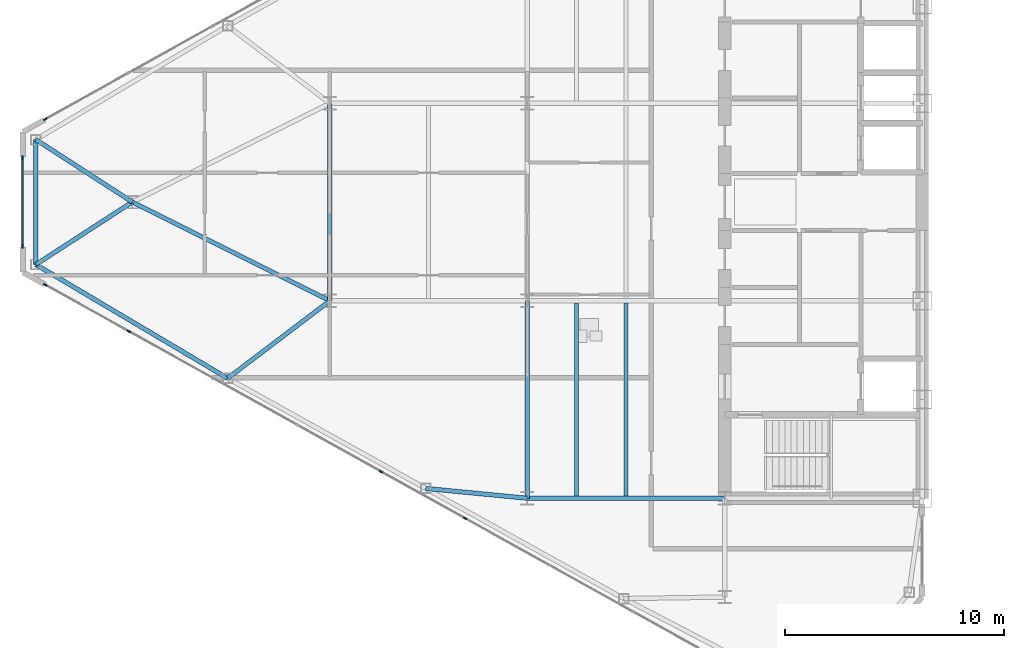
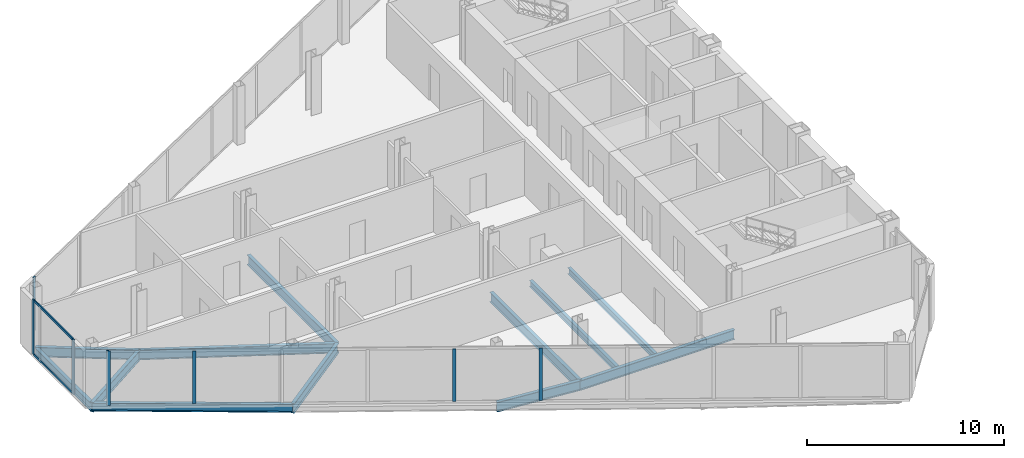
# One storey, part 5 of 26: 12 beams, 9 members, 3 elements without a shape of their own.
"""IFC4 building model written with IfcOpenShell, lengths in metres."""

from ifc_helpers import new_model, si_unit, direction, frame, origin, origin_2d, place, context, subcontext, project, spatial, rectangle, i_section, extrude, source, transform, mapped, material, layer, layer_set, material_profile, profile_set, type_object, type_shapes, element, aggregate, save


model = new_model("IFC4")

# Units and contexts
model_context = context("Model", 3, precision=1e-05, world=origin(), true_north=direction((0.0, 1.0)))
body_context = subcontext(model_context, "Body", "Model", "MODEL_VIEW")
ifc_project = project(units=[si_unit("LENGTHUNIT", "METRE"), si_unit("AREAUNIT", "SQUARE_METRE"), si_unit("VOLUMEUNIT", "CUBIC_METRE"), si_unit("PLANEANGLEUNIT", "RADIAN"), si_unit("MASSUNIT", "GRAM", prefix="KILO")], contexts=[model_context])

# Site, building, storey
site_placement = place(None, origin())
site = spatial("IfcSite", under=ifc_project, at=site_placement, CompositionType="ELEMENT")
building_placement = place(site_placement, origin())
building = spatial("IfcBuilding", under=site, at=building_placement, Name="Seokmaru Belvedere", CompositionType="ELEMENT")
storey_placement = place(building_placement, frame((0.0, 0.0, 167.10009765625)))
storey = spatial("IfcBuildingStorey", under=building, at=storey_placement, Name="L44", CompositionType="ELEMENT", Elevation=167.10009765625)

# Beams
ifc_material_1 = material(Name="Steel SM355 (355 MPa)", Category="steel")
ifc_material_profile_1 = material_profile(ifc_material_1, i_section(OverallWidth=0.199951171875, OverallDepth=0.60009765625, WebThickness=0.010986328125, FlangeThickness=0.01708984375, at=origin_2d()), Name="H-600x200x11x17")
ifc_profile_set_1 = profile_set([ifc_material_profile_1], Name="Steel SM355 (355 MPa)")
beam_type_1 = type_object("IfcBeamType", Name="Primary Floor Girder H-600", PredefinedType="BEAM", material=ifc_profile_set_1)
shared_shape_1 = source(origin(), body_context, "Body", "SweptSolid", [
    extrude(i_section(OverallWidth=0.199951171875, OverallDepth=0.60009765625, WebThickness=0.010986328125, FlangeThickness=0.01708984375, at=origin_2d()), origin(), (0.0, 0.0, 1.0), 9.0),
])
for number, where, z_axis, x_axis, name in (
    (1, (-45.5, -13.5, -0.52001953125), (0.0, 1.0, 0.0), (-1.0, 0.0, 0.0), "L44 W Interior Grid Girder 1"),
    (2, (-45.5, -13.5, -0.52001953125), (1.0, 0.0, 0.0), (0.0, 1.0, 0.0), "L44 W Wing Primary Girder 1"),
    (3, (-54.5, -4.5, -0.52001953125), (0.0, 1.0, 0.0), (-1.0, 0.0, 0.0), "L44 W Apex Frame Girder"),
):
    element("IfcBeam", number, at=place(storey_placement, frame(where, z_axis=z_axis, x_axis=x_axis)), inside=storey, type_object=beam_type_1, Name=name, PredefinedType="BEAM", context=body_context, shape_type="MappedRepresentation", body=[
        mapped(shared_shape_1, transform((0.0, 0.0, 0.0), scale=1.0)),
    ])
shared_shape_2 = source(origin(), body_context, "Body", "SweptSolid", [
    extrude(i_section(OverallWidth=0.199951171875, OverallDepth=0.60009765625, WebThickness=0.010986328125, FlangeThickness=0.01708984375, at=origin_2d()), origin(), (0.0, 0.0, 1.0), 10.062255859375),
])
beam_1_placement = place(storey_placement, frame((-54.5, -4.5, -0.52001953125), z_axis=(-0.894427191, 0.4472135955, 0.0), x_axis=(-0.4472135955, -0.894427191, 0.0)))
element("IfcBeam", 4, at=beam_1_placement, inside=storey, type_object=beam_type_1, Name="L44 W Apex Converging Girder 1", PredefinedType="BEAM", context=body_context, shape_type="MappedRepresentation", body=[
    mapped(shared_shape_2, transform((0.0, 0.0, 0.0), scale=1.0)),
])
ifc_material_profile_2 = material_profile(ifc_material_1, i_section(OverallWidth=0.18505859375, OverallDepth=0.389892578125, WebThickness=0.008056640625, FlangeThickness=0.011962890625, at=origin_2d()), Name="H-390x185x8x12")
ifc_profile_set_2 = profile_set([ifc_material_profile_2], Name="Steel SM355 (355 MPa)")
beam_type_2 = type_object("IfcBeamType", Name="Secondary Floor Joist H-350", PredefinedType="JOIST", material=ifc_profile_set_2)
shared_shape_3 = source(origin(), body_context, "Body", "SweptSolid", [
    extrude(i_section(OverallWidth=0.18505859375, OverallDepth=0.389892578125, WebThickness=0.008056640625, FlangeThickness=0.011962890625, at=origin_2d()), origin(), (0.0, 0.0, 1.0), 8.7900390625),
])
type_shapes(beam_type_2, [shared_shape_3])
for number, where, z_axis, x_axis, name in (
    (5, (-43.25, -13.39501953125, -0.4150390625), (0.0, 1.0, 0.0), (-1.0, 0.0, 0.0), "L44 W Wing Inner Secondary Joist 1"),
    (6, (-41.0, -13.39501953125, -0.4150390625), (0.0, 1.0, 0.0), (-1.0, 0.0, 0.0), "L44 W Secondary Floor Joist 1"),
):
    element("IfcBeam", number, at=place(storey_placement, frame(where, z_axis=z_axis, x_axis=x_axis)), inside=storey, type_object=beam_type_2, Name=name, PredefinedType="JOIST", context=body_context, shape_type="MappedRepresentation", body=[
        mapped(shared_shape_3, transform((0.0, 0.0, 0.0), scale=1.0)),
    ])
ifc_material_profile_3 = material_profile(ifc_material_1, i_section(OverallWidth=0.199951171875, OverallDepth=0.5, WebThickness=0.010009765625, FlangeThickness=0.01611328125, at=origin_2d()), Name="H-500x200x10x16")
ifc_profile_set_3 = profile_set([ifc_material_profile_3], Name="Steel SM355 (355 MPa)")
beam_type_3 = type_object("IfcBeamType", Name="Perimeter Spandrel Beam H-500", PredefinedType="SPANDREL", material=ifc_profile_set_3)
shared_shape_4 = source(origin(), body_context, "Body", "SweptSolid", [
    extrude(i_section(OverallWidth=0.199951171875, OverallDepth=0.5, WebThickness=0.010009765625, FlangeThickness=0.01611328125, at=origin_2d()), origin(), (0.0, 0.0, 1.0), 10.16650390625),
])
beam_2_placement = place(storey_placement, frame((-59.154541015625, -8.031494140625, -0.47021484375), z_axis=(-0.860209996506, 0.509939959124, 0.0), x_axis=(-0.509939959124, -0.860209996506, 0.0)))
element("IfcBeam", 7, at=beam_2_placement, inside=storey, type_object=beam_type_3, Name="L44 W Faceted Flank Spandrel S-4", PredefinedType="SPANDREL", context=body_context, shape_type="MappedRepresentation", body=[
    mapped(shared_shape_4, transform((0.0, 0.0, 0.0), scale=1.0)),
])
shared_shape_5 = source(origin(), body_context, "Body", "SweptSolid", [
    extrude(i_section(OverallWidth=0.199951171875, OverallDepth=0.5, WebThickness=0.010009765625, FlangeThickness=0.01611328125, at=origin_2d()), origin(), (0.0, 0.0, 1.0), 5.6943359375),
])
type_shapes(beam_type_3, [shared_shape_4, shared_shape_5])
beam_3_placement = place(storey_placement, frame((-67.89990234375, -2.84716796875, -0.47021484375), z_axis=(0.0, 1.0, 0.0), x_axis=(-1.0, 0.0, 0.0)))
element("IfcBeam", 8, at=beam_3_placement, inside=storey, type_object=beam_type_3, Name="L44 W Faceted Apex Spandrel", PredefinedType="SPANDREL", context=body_context, shape_type="MappedRepresentation", body=[
    mapped(shared_shape_5, transform((0.0, 0.0, 0.0), scale=1.0)),
])
shared_shape_6 = source(origin(), body_context, "Body", "SweptSolid", [
    extrude(i_section(OverallWidth=0.199951171875, OverallDepth=0.60009765625, WebThickness=0.010986328125, FlangeThickness=0.01708984375, at=origin_2d()), origin(), (0.0, 0.0, 1.0), 4.65087890625),
])
beam_4_placement = place(storey_placement, frame((-50.129150390625, -13.051025390625, -0.52001953125), z_axis=(0.995329534874, -0.09653557379, 0.0), x_axis=(0.09653557379, 0.995329534874, 0.0)))
element("IfcBeam", 9, at=beam_4_placement, inside=storey, type_object=beam_type_1, Name="L44 W Flank Radial Floor Girder S-2", PredefinedType="BEAM", context=body_context, shape_type="MappedRepresentation", body=[
    mapped(shared_shape_6, transform((0.0, 0.0, 0.0), scale=1.0)),
])
shared_shape_7 = source(origin(), body_context, "Body", "SweptSolid", [
    extrude(i_section(OverallWidth=0.199951171875, OverallDepth=0.60009765625, WebThickness=0.010986328125, FlangeThickness=0.01708984375, at=origin_2d()), origin(), (0.0, 0.0, 1.0), 5.842529296875),
])
beam_5_placement = place(storey_placement, frame((-59.154541015625, -8.031494140625, -0.52001953125), z_axis=(0.796653109879, 0.604436781243, 0.0), x_axis=(-0.604436781243, 0.796653109879, 0.0)))
element("IfcBeam", 10, at=beam_5_placement, inside=storey, type_object=beam_type_1, Name="L44 W Flank Radial Floor Girder S-3", PredefinedType="BEAM", context=body_context, shape_type="MappedRepresentation", body=[
    mapped(shared_shape_7, transform((0.0, 0.0, 0.0), scale=1.0)),
])
shared_shape_8 = source(origin(), body_context, "Body", "SweptSolid", [
    extrude(i_section(OverallWidth=0.199951171875, OverallDepth=0.60009765625, WebThickness=0.010986328125, FlangeThickness=0.01708984375, at=origin_2d()), origin(), (0.0, 0.0, 1.0), 5.24072265625),
])
type_shapes(beam_type_1, [shared_shape_1, shared_shape_2, shared_shape_6, shared_shape_7, shared_shape_8])
for number, where, z_axis, x_axis, name in (
    (11, (-67.89990234375, -2.84716796875, -0.52001953125), (0.839555158729, 0.543274456836, 0.0), (-0.543274456836, 0.839555158729, 0.0), "L44 W Apex Radial Floor Girder 1"),
    (12, (-67.89990234375, 2.84716796875, -0.52001953125), (0.839555158729, -0.543274456836, 0.0), (0.543274456836, 0.839555158729, 0.0), "L44 W Apex Radial Floor Girder 2"),
):
    element("IfcBeam", number, at=place(storey_placement, frame(where, z_axis=z_axis, x_axis=x_axis)), inside=storey, type_object=beam_type_1, Name=name, PredefinedType="BEAM", context=body_context, shape_type="MappedRepresentation", body=[
        mapped(shared_shape_8, transform((0.0, 0.0, 0.0), scale=1.0)),
    ])

# Curtain wall, members
ifc_material_2 = material(Name="Bronze Triple Insulating Glass", Category="glass")
ifc_layer = layer(ifc_material_2, 0.179931640625)
ifc_layer_set = layer_set([ifc_layer], Name="Bronze Triple Insulating Glass")
curtain_wall_type = type_object("IfcCurtainWallType", Name="High-Rise Wind-Corner Curtain Wall System CW-5", PredefinedType="NOTDEFINED", material=ifc_layer_set)
curtain_wall_1_placement = place(storey_placement, origin())
curtain_wall_1 = element("IfcCurtainWall", 13, at=curtain_wall_1_placement, inside=storey, type_object=curtain_wall_type, Name="L44 Curtain Wall WF4", PredefinedType="NOTDEFINED")
ifc_material_3 = material(Name="Anodised Bronze Aluminium", Category="aluminium")
ifc_material_profile_4 = material_profile(ifc_material_3, rectangle(XDim=0.06494140625, YDim=0.14990234375, at=origin_2d()), Name="CW-T-65x150")
ifc_profile_set_4 = profile_set([ifc_material_profile_4], Name="Anodised Bronze Aluminium")
member_type_1 = type_object("IfcMemberType", Name="Bronze Unitised Transom 65x150", PredefinedType="USERDEFINED", material=ifc_profile_set_4)
shared_shape_9 = source(origin(), body_context, "Body", "SweptSolid", [
    extrude(rectangle(XDim=0.06494140625, YDim=0.14990234375, at=origin_2d()), origin(), (0.0, 0.0, 1.0), 3.97021484375),
])
type_shapes(member_type_1, [shared_shape_9])
member_1_placement = place(storey_placement, frame((-68.5, 1.985107421875, 0.032470703125), z_axis=(0.0, -1.0, 0.0), x_axis=(1.0, 0.0, 0.0)))
member_1 = element("IfcMember", 14, at=member_1_placement, type_object=member_type_1, Name="CW:L44:WF4 Continuous Transom 1", ObjectType="TRANSOM", PredefinedType="USERDEFINED", context=body_context, shape_type="MappedRepresentation", body=[
    mapped(shared_shape_9, transform((0.0, 0.0, 0.0), scale=1.0)),
])
member_2_placement = place(storey_placement, frame((-68.5, 1.985107421875, 3.347412109375), z_axis=(0.0, -1.0, 0.0), x_axis=(1.0, 0.0, 0.0)))
member_2 = element("IfcMember", 15, at=member_2_placement, type_object=member_type_1, Name="CW:L44:WF4 Continuous Transom 2", ObjectType="TRANSOM", PredefinedType="USERDEFINED", context=body_context, shape_type="MappedRepresentation", body=[
    mapped(shared_shape_9, transform((0.0, 0.0, 0.0), scale=1.0)),
])

# Curtain wall, member
curtain_wall_2_placement = place(storey_placement, origin())
curtain_wall_2 = element("IfcCurtainWall", 16, at=curtain_wall_2_placement, inside=storey, type_object=curtain_wall_type, Name="L44 Curtain Wall WF3", PredefinedType="NOTDEFINED")
ifc_material_profile_5 = material_profile(ifc_material_3, rectangle(XDim=0.06494140625, YDim=0.179931640625, at=origin_2d()), Name="CW-M-65x180")
ifc_profile_set_5 = profile_set([ifc_material_profile_5], Name="Anodised Bronze Aluminium")
member_type_2 = type_object("IfcMemberType", Name="Bronze Unitised Mullion 65x180", PredefinedType="MULLION", material=ifc_profile_set_5)
shared_shape_10 = source(origin(), body_context, "Body", "SweptSolid", [
    extrude(rectangle(XDim=0.06494140625, YDim=0.179931640625, at=origin_2d()), origin(), (0.0, 0.0, 1.0), 3.3798828125),
])
member_3_placement = place(storey_placement, frame((-67.466552734375, 3.77490234375, 0.0), z_axis=(0.0, 0.0, 1.0), x_axis=(0.486047125147, -0.873932601598, 0.0)))
member_3 = element("IfcMember", 17, at=member_3_placement, type_object=member_type_2, Name="CW:L44:WF3 Mullion 10", PredefinedType="MULLION", context=body_context, shape_type="MappedRepresentation", body=[
    mapped(shared_shape_10, transform((0.0, 0.0, 0.0), scale=1.0)),
])
aggregate(curtain_wall_2, [member_3])

# Member
member_4_placement = place(storey_placement, frame((-68.5, 2.017578125, 0.0), z_axis=(0.0, 0.0, 1.0), x_axis=(1.0, 0.0, 0.0)))
member_4 = element("IfcMember", 18, at=member_4_placement, type_object=member_type_2, Name="CW:L44:WF4 Mullion 1", PredefinedType="MULLION", context=body_context, shape_type="MappedRepresentation", body=[
    mapped(shared_shape_10, transform((0.0, 0.0, 0.0), scale=1.0)),
])

member_5_placement = place(storey_placement, frame((-68.5, -2.017578125, 0.0), z_axis=(0.0, 0.0, 1.0), x_axis=(1.0, 0.0, 0.0)))
member_5 = element("IfcMember", 19, at=member_5_placement, type_object=member_type_2, Name="CW:L44:WF4 Mullion 2", PredefinedType="MULLION", context=body_context, shape_type="MappedRepresentation", body=[
    mapped(shared_shape_10, transform((0.0, 0.0, 0.0), scale=1.0)),
])

aggregate(curtain_wall_1, [member_4, member_5, member_1, member_2])

# Curtain wall, members
curtain_wall_3_placement = place(storey_placement, origin())
curtain_wall_3 = element("IfcCurtainWall", 20, at=curtain_wall_3_placement, inside=storey, type_object=curtain_wall_type, Name="L44 Curtain Wall WF5", PredefinedType="NOTDEFINED")
member_6_placement = place(storey_placement, frame((-67.466552734375, -3.77490234375, 0.0), z_axis=(0.0, 0.0, 1.0), x_axis=(0.486047125147, 0.873932601598, 0.0)))
member_6 = element("IfcMember", 21, at=member_6_placement, type_object=member_type_2, Name="CW:L44:WF5 Mullion 1", PredefinedType="MULLION", context=body_context, shape_type="MappedRepresentation", body=[
    mapped(shared_shape_10, transform((0.0, 0.0, 0.0), scale=1.0)),
])
shared_shape_11 = source(origin(), body_context, "Body", "SweptSolid", [
    extrude(rectangle(XDim=0.06494140625, YDim=0.179931640625, at=origin_2d()), origin(), (0.0, 0.0, 1.0), 3.25),
])
type_shapes(member_type_2, [shared_shape_10, shared_shape_11])
member_7_placement = place(storey_placement, frame((-63.662841796875, -5.890380859375, 0.06494140625), z_axis=(0.0, 0.0, 1.0), x_axis=(0.486047125147, 0.873932601598, 0.0)))
member_7 = element("IfcMember", 22, at=member_7_placement, type_object=member_type_2, Name="CW:L44:WF5 Mullion 2", PredefinedType="MULLION", context=body_context, shape_type="MappedRepresentation", body=[
    mapped(shared_shape_11, transform((0.0, 0.0, 0.0), scale=1.0)),
])
member_8_placement = place(storey_placement, frame((-52.166015625, -12.2841796875, 0.06494140625), z_axis=(0.0, 0.0, 1.0), x_axis=(0.486047125147, 0.873932601598, 0.0)))
member_8 = element("IfcMember", 23, at=member_8_placement, type_object=member_type_2, Name="CW:L44:WF5 Mullion 5", PredefinedType="MULLION", context=body_context, shape_type="MappedRepresentation", body=[
    mapped(shared_shape_11, transform((0.0, 0.0, 0.0), scale=1.0)),
])
member_9_placement = place(storey_placement, frame((-48.333984375, -14.415771484375, 0.06494140625), z_axis=(0.0, 0.0, 1.0), x_axis=(0.486047125147, 0.873932601598, 0.0)))
member_9 = element("IfcMember", 24, at=member_9_placement, type_object=member_type_2, Name="CW:L44:WF5 Mullion 6", PredefinedType="MULLION", context=body_context, shape_type="MappedRepresentation", body=[
    mapped(shared_shape_11, transform((0.0, 0.0, 0.0), scale=1.0)),
])
aggregate(curtain_wall_3, [member_6, member_7, member_8, member_9])

save(model, "model.ifc")
